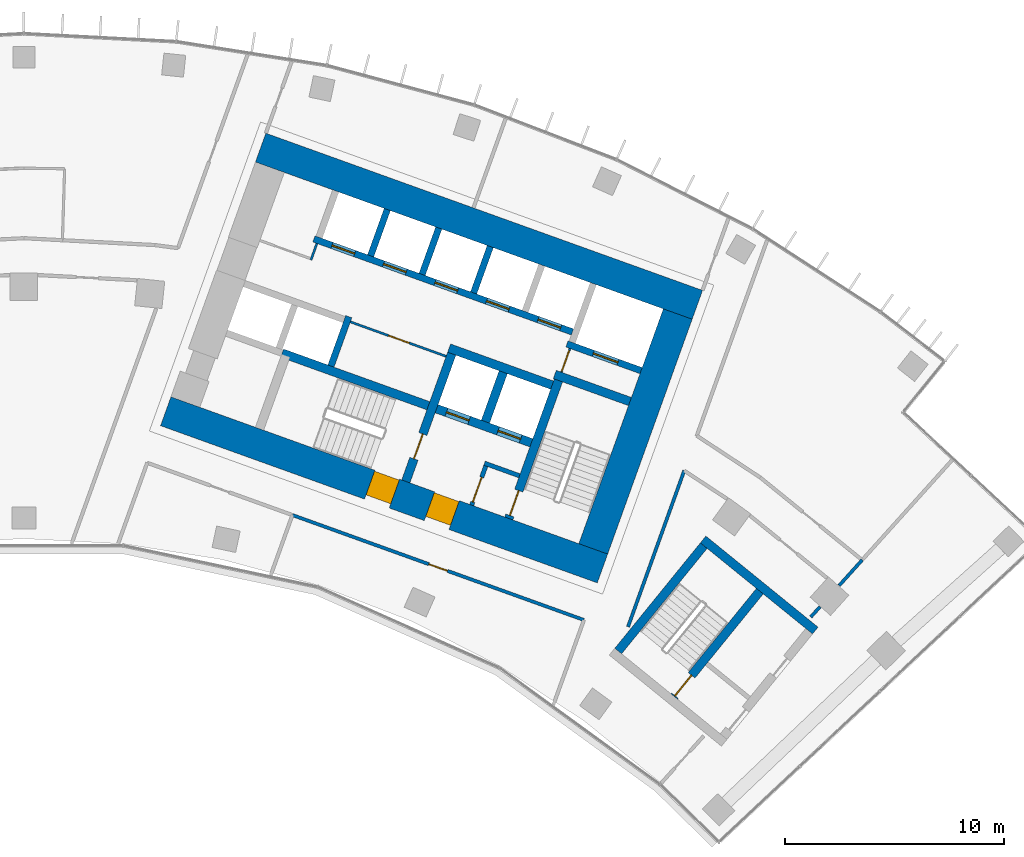
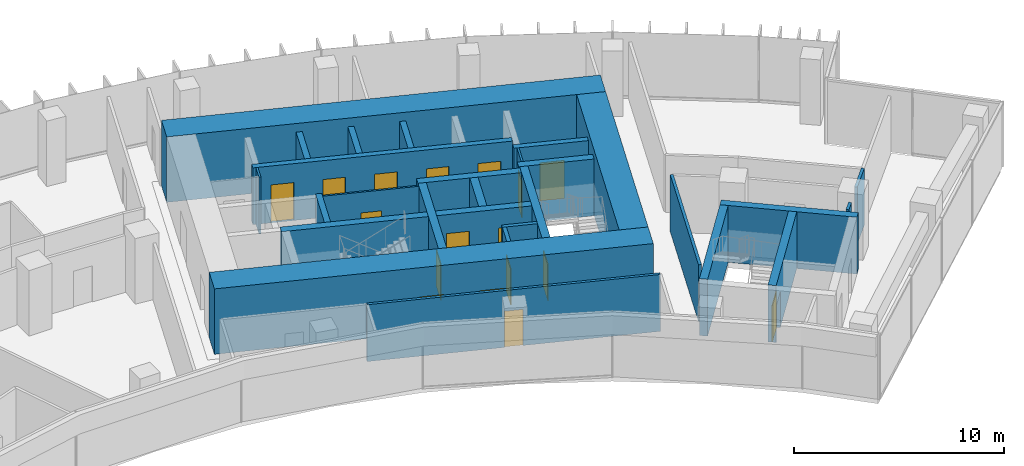
# One storey, part 17 of 21: 27 walls, 17 doors, 17 openings.
"""IFC4 building model written with IfcOpenShell, lengths in metres."""

from ifc_helpers import new_model, si_unit, direction, frame, frame_2d, origin, place, context, subcontext, project, spatial, rectangle, extrude, material, layer, layer_set, type_object, element, fill, save


model = new_model("IFC4")

# Units and contexts
model_context = context("Model", 3, precision=1e-05, world=origin(), true_north=direction((0.0, 1.0)))
body_context = subcontext(model_context, "Body", "Model", "MODEL_VIEW")
ifc_project = project(units=[si_unit("LENGTHUNIT", "METRE"), si_unit("AREAUNIT", "SQUARE_METRE"), si_unit("VOLUMEUNIT", "CUBIC_METRE"), si_unit("PLANEANGLEUNIT", "RADIAN"), si_unit("MASSUNIT", "GRAM", prefix="KILO")], contexts=[model_context])

# Site, building, storey
site_placement = place(None, origin())
site = spatial("IfcSite", under=ifc_project, at=site_placement, CompositionType="ELEMENT")
building_placement = place(site_placement, origin())
building = spatial("IfcBuilding", under=site, at=building_placement, Name="Stone Belt Terrace Tower", CompositionType="ELEMENT")
storey_placement = place(building_placement, frame((0.0, 0.0, 189.60009765625)))
storey = spatial("IfcBuildingStorey", under=building, at=storey_placement, Name="L46", CompositionType="ELEMENT", Elevation=189.60009765625)

# Wall, opening, door
ifc_material_1 = material(Name="Plasterboard partition")
ifc_layer_1 = layer(ifc_material_1, 0.10009765625)
ifc_layer_set_1 = layer_set([ifc_layer_1], Name="Core partition 100")
wall_type_1 = type_object("IfcWallType", Name="Core partition 100", PredefinedType="PARTITIONING", material=ifc_layer_set_1)
wall_1_placement = place(storey_placement, frame((24.555908203125, 51.10400390625, 0.0), z_axis=(0.0, 0.0, 1.0), x_axis=(0.338621735342, 0.94092258999, 0.0)))
wall_1 = element("IfcWall", 1, at=wall_1_placement, inside=storey, type_object=wall_type_1, Name="Core B wall", PredefinedType="PARTITIONING", context=body_context, shape_type="SweptSolid", body=[
    extrude(rectangle(XDim=1.14990234375, YDim=0.10009765625, at=frame_2d((0.574951171875, 0.0))), origin(), (0.0, 0.0, 1.0), 3.2998046875),
])
opening_1_placement = place(wall_1_placement, frame((0.050048828125, 0.0, 0.0)))
opening_1 = element("IfcOpeningElement", 2, at=opening_1_placement, cuts=wall_1, Name="Opening L46-C13", PredefinedType="OPENING", context=body_context, shape_type="SweptSolid", body=[
    extrude(rectangle(XDim=1.0, YDim=2.10009765625, at=frame_2d((0.5, 1.050048828125))), frame((0.0, 0.06005859375, 0.0), z_axis=(0.0, -1.0, 0.0), x_axis=(1.0, 0.0, 0.0)), (0.0, 0.0, 1.0), 0.1201171875),
])
ifc_material_2 = material(Name="Timber door leaf", Category="wood")
door_type_1 = type_object("IfcDoorType", Name="Core room door 1000", OperationType="SINGLE_SWING_LEFT", PredefinedType="DOOR", material=ifc_material_2)
door_1_placement = place(opening_1_placement, origin())
door_1 = element("IfcDoor", 3, at=door_1_placement, inside=storey, type_object=door_type_1, Name="Service lift lobby door core B", OperationType="SINGLE_SWING_RIGHT", OverallHeight=2.10009765625, OverallWidth=1.0, PredefinedType="DOOR", context=body_context, shape_type="SweptSolid", body=[
    extrude(rectangle(XDim=1.0, YDim=2.10009765625, at=frame_2d((0.5, 1.050048828125))), frame((0.0, 0.02490234375, 0.0), z_axis=(0.0, -1.0, 0.0), x_axis=(1.0, 0.0, 0.0)), (0.0, 0.0, 1.0), 0.050048828125),
])
fill(opening_1, door_1)

wall_2_placement = place(storey_placement, frame((19.29052734375, 51.829833984375, 0.0), z_axis=(0.0, 0.0, 1.0), x_axis=(-0.940930240745, 0.338600475563, 0.0)))
wall_2 = element("IfcWall", 4, at=wall_2_placement, inside=storey, type_object=wall_type_1, Name="Core B wall", PredefinedType="PARTITIONING", context=body_context, shape_type="SweptSolid", body=[
    extrude(rectangle(XDim=4.64990234375, YDim=0.10009765625, at=frame_2d((2.324951171875, 0.0))), origin(), (0.0, 0.0, 1.0), 3.2998046875),
])
opening_2_placement = place(wall_2_placement, frame((1.800048828125, 0.0, 0.0)))
opening_2 = element("IfcOpeningElement", 5, at=opening_2_placement, cuts=wall_2, Name="Opening L46-C12", PredefinedType="OPENING", context=body_context, shape_type="SweptSolid", body=[
    extrude(rectangle(XDim=1.0, YDim=2.10009765625, at=frame_2d((0.5, 1.050048828125))), frame((0.0, 0.06005859375, 0.0), z_axis=(0.0, -1.0, 0.0), x_axis=(1.0, 0.0, 0.0)), (0.0, 0.0, 1.0), 0.1201171875),
])
door_2_placement = place(opening_2_placement, origin())
door_2 = element("IfcDoor", 6, at=door_2_placement, inside=storey, type_object=door_type_1, Name="Door to Staff pantry core B", OperationType="SINGLE_SWING_RIGHT", OverallHeight=2.10009765625, OverallWidth=1.0, PredefinedType="DOOR", context=body_context, shape_type="SweptSolid", body=[
    extrude(rectangle(XDim=1.0, YDim=2.10009765625, at=frame_2d((0.5, 1.050048828125))), frame((0.0, 0.02490234375, 0.0), z_axis=(0.0, -1.0, 0.0), x_axis=(1.0, 0.0, 0.0)), (0.0, 0.0, 1.0), 0.050048828125),
])
fill(opening_2, door_2)

# Wall
wall_3_placement = place(storey_placement, frame((13.115966796875, 56.230712890625, 0.0), z_axis=(0.0, 0.0, 1.0), x_axis=(0.338481684961, 0.940972979923, 0.0)))
element("IfcWall", 7, at=wall_3_placement, inside=storey, type_object=wall_type_1, Name="Core B wall", PredefinedType="PARTITIONING", context=body_context, shape_type="SweptSolid", body=[
    extrude(rectangle(XDim=0.7998046875, YDim=0.10009765625, at=frame_2d((0.39990234375, 0.0))), origin(), (0.0, 0.0, 1.0), 3.2998046875),
])

# Wall, openings, doors
ifc_material_3 = material(Name="Concrete B80", Category="concrete")
ifc_layer_2 = layer(ifc_material_3, 1.39990234375)
ifc_layer_set_2 = layer_set([ifc_layer_2], Name="Core wall 1400 B80")
wall_type_2 = type_object("IfcWallType", Name="Core wall 1400 B80", PredefinedType="SHEAR", material=ifc_layer_set_2)
wall_4_placement = place(storey_placement, frame((6.4833984375, 49.318115234375, 0.0), z_axis=(0.0, 0.0, 1.0), x_axis=(0.940923374003, -0.33861955681, 0.0)))
wall_4 = element("IfcWall", 8, at=wall_4_placement, inside=storey, type_object=wall_type_2, Name="Core B wall concave L46", PredefinedType="SHEAR", context=body_context, shape_type="SweptSolid", body=[
    extrude(rectangle(XDim=21.199951171875, YDim=1.39990234375, at=frame_2d((10.60009765625, 0.0))), origin(), (0.0, 0.0, 1.0), 3.7998046875),
])
opening_3_placement = place(wall_4_placement, frame((12.800048828125, 0.0, 0.0)))
opening_3 = element("IfcOpeningElement", 9, at=opening_3_placement, cuts=wall_4, Name="Opening L46-C17", PredefinedType="OPENING", context=body_context, shape_type="SweptSolid", body=[
    extrude(rectangle(XDim=1.199951171875, YDim=2.10009765625, at=frame_2d((0.60009765625, 1.050048828125))), frame((0.0, 0.7099609375, 0.0), z_axis=(0.0, -1.0, 0.0), x_axis=(1.0, 0.0, 0.0)), (0.0, 0.0, 1.0), 1.419921875),
])
opening_4_placement = place(wall_4_placement, frame((9.89990234375, 0.0, 0.0)))
opening_4 = element("IfcOpeningElement", 10, at=opening_4_placement, cuts=wall_4, Name="Opening L46-C19", PredefinedType="OPENING", context=body_context, shape_type="SweptSolid", body=[
    extrude(rectangle(XDim=1.199951171875, YDim=2.10009765625, at=frame_2d((0.60009765625, 1.050048828125))), frame((0.0, 0.7099609375, 0.0), z_axis=(0.0, -1.0, 0.0), x_axis=(1.0, 0.0, 0.0)), (0.0, 0.0, 1.0), 1.419921875),
])
ifc_material_4 = material(Name="Steel door leaf", Category="steel")
door_type_2 = type_object("IfcDoorType", Name="Fire-fighting lobby door 1200", OperationType="SINGLE_SWING_LEFT", PredefinedType="DOOR", material=ifc_material_4)
door_3_placement = place(opening_3_placement, origin())
door_3 = element("IfcDoor", 11, at=door_3_placement, inside=storey, type_object=door_type_2, Name="Fire-fighting lobby door core B", OperationType="SINGLE_SWING_RIGHT", OverallHeight=2.10009765625, OverallWidth=1.199951171875, PredefinedType="DOOR", context=body_context, shape_type="SweptSolid", body=[
    extrude(rectangle(XDim=1.199951171875, YDim=2.10009765625, at=frame_2d((0.60009765625, 1.050048828125))), frame((0.0, 0.655029296875, 0.0), z_axis=(0.0, -1.0, 0.0), x_axis=(1.0, 0.0, 0.0)), (0.0, 0.0, 1.0), 1.14990234375),
])
fill(opening_3, door_3)
door_type_3 = type_object("IfcDoorType", Name="Stair door 1200", OperationType="SINGLE_SWING_LEFT", PredefinedType="DOOR", material=ifc_material_4)
door_4_placement = place(opening_4_placement, origin())
door_4 = element("IfcDoor", 12, at=door_4_placement, inside=storey, type_object=door_type_3, Name="Stair 2 exit door core B", OperationType="SINGLE_SWING_LEFT", OverallHeight=2.10009765625, OverallWidth=1.199951171875, PredefinedType="DOOR", context=body_context, shape_type="SweptSolid", body=[
    extrude(rectangle(XDim=1.199951171875, YDim=2.10009765625, at=frame_2d((0.60009765625, 1.050048828125))), frame((0.0, 0.655029296875, 0.0), z_axis=(0.0, -1.0, 0.0), x_axis=(1.0, 0.0, 0.0)), (0.0, 0.0, 1.0), 1.14990234375),
])
fill(opening_4, door_4)

# Walls
wall_5_placement = place(storey_placement, frame((10.81787109375, 61.362060546875, 0.0), z_axis=(0.0, 0.0, 1.0), x_axis=(0.940919704758, -0.338629752382, 0.0)))
element("IfcWall", 13, at=wall_5_placement, inside=storey, type_object=wall_type_2, Name="Core B wall convex L46", PredefinedType="SHEAR", context=body_context, shape_type="SweptSolid", body=[
    extrude(rectangle(XDim=21.199951171875, YDim=1.39990234375, at=frame_2d((10.60009765625, 0.0))), origin(), (0.0, 0.0, 1.0), 3.7998046875),
])
wall_6_placement = place(storey_placement, frame((26.00927734375, 43.03515625, 0.0), z_axis=(0.0, 0.0, 1.0), x_axis=(0.338625431531, 0.940921259788, 0.0)))
element("IfcWall", 14, at=wall_6_placement, inside=storey, type_object=wall_type_2, Name="Core B wall end_b L46", PredefinedType="SHEAR", context=body_context, shape_type="SweptSolid", body=[
    extrude(rectangle(XDim=11.400146484375, YDim=1.39990234375, at=frame_2d((5.7001953125, 0.0))), origin(), (0.0, 0.0, 1.0), 3.7998046875),
])
ifc_layer_3 = layer(ifc_material_3, 0.39990234375)
ifc_layer_set_3 = layer_set([ifc_layer_3], Name="Fire-fighting lift shaft wall 400")
wall_type_3 = type_object("IfcWallType", Name="Fire-fighting lift shaft wall 400", PredefinedType="SHEAR", material=ifc_layer_set_3)
wall_7_placement = place(storey_placement, frame((24.130615234375, 50.512939453125, 0.0), z_axis=(0.0, 0.0, 1.0), x_axis=(-0.94091168377, 0.338652038744, 0.0)))
element("IfcWall", 15, at=wall_7_placement, inside=storey, type_object=wall_type_3, Name="Core B wall", PredefinedType="SHEAR", context=body_context, shape_type="SweptSolid", body=[
    extrude(rectangle(XDim=5.000244140625, YDim=0.39990234375, at=frame_2d((2.5, 0.0))), origin(), (0.0, 0.0, 1.0), 3.2998046875),
])
wall_8_placement = place(storey_placement, frame((21.0859375, 48.845458984375, 0.0), z_axis=(0.0, 0.0, 1.0), x_axis=(0.338629416206, 0.940919825745, 0.0)))
element("IfcWall", 16, at=wall_8_placement, inside=storey, type_object=wall_type_3, Name="Core B wall", PredefinedType="SHEAR", context=body_context, shape_type="SweptSolid", body=[
    extrude(rectangle(XDim=2.400146484375, YDim=0.39990234375, at=frame_2d((1.2001953125, 0.0))), origin(), (0.0, 0.0, 1.0), 3.2998046875),
])

# Wall, opening, door
ifc_layer_4 = layer(ifc_material_3, 0.300048828125)
ifc_layer_set_4 = layer_set([ifc_layer_4], Name="Lift shaft wall 300")
wall_type_4 = type_object("IfcWallType", Name="Lift shaft wall 300", PredefinedType="SHEAR", material=ifc_layer_set_4)
wall_9_placement = place(storey_placement, frame((28.195068359375, 51.17578125, 0.0), z_axis=(0.0, 0.0, 1.0), x_axis=(-0.940901243567, 0.338681044427, 0.0)))
wall_9 = element("IfcWall", 17, at=wall_9_placement, inside=storey, type_object=wall_type_4, Name="Core B wall", PredefinedType="SHEAR", context=body_context, shape_type="SweptSolid", body=[
    extrude(rectangle(XDim=3.599853515625, YDim=0.300048828125, at=frame_2d((1.7998046875, 0.0))), origin(), (0.0, 0.0, 1.0), 3.2998046875),
])
opening_5_placement = place(wall_9_placement, frame((1.1201171875, 0.0, 0.0)))
opening_5 = element("IfcOpeningElement", 18, at=opening_5_placement, cuts=wall_9, Name="Opening L46-LD16", PredefinedType="OPENING", context=body_context, shape_type="SweptSolid", body=[
    extrude(rectangle(XDim=1.199951171875, YDim=2.199951171875, at=frame_2d((0.60009765625, 1.10009765625))), frame((0.0, 0.159912109375, 0.0), z_axis=(0.0, -1.0, 0.0), x_axis=(1.0, 0.0, 0.0)), (0.0, 0.0, 1.0), 0.320068359375),
])
ifc_material_5 = material(Name="Stainless steel door leaf", Category="steel")
door_type_4 = type_object("IfcDoorType", Name="Landing door 1200", OperationType="SLIDING_TO_LEFT", PredefinedType="DOOR", material=ifc_material_5)
door_5_placement = place(opening_5_placement, origin())
door_5 = element("IfcDoor", 19, at=door_5_placement, inside=storey, type_object=door_type_4, Name="Landing door SV1 core B", OperationType="SLIDING_TO_LEFT", OverallHeight=2.199951171875, OverallWidth=1.199951171875, PredefinedType="DOOR", context=body_context, shape_type="SweptSolid", body=[
    extrude(rectangle(XDim=1.199951171875, YDim=2.199951171875, at=frame_2d((0.60009765625, 1.10009765625))), frame((0.0, 0.02490234375, 0.0), z_axis=(0.0, -1.0, 0.0), x_axis=(1.0, 0.0, 0.0)), (0.0, 0.0, 1.0), 0.050048828125),
])
fill(opening_5, door_5)

# Wall, openings, doors
wall_10_placement = place(storey_placement, frame((25.05810546875, 52.9423828125, 0.0), z_axis=(0.0, 0.0, 1.0), x_axis=(-0.940921381676, 0.338625092847, 0.0)))
wall_10 = element("IfcWall", 20, at=wall_10_placement, inside=storey, type_object=wall_type_4, Name="Core B wall", PredefinedType="SHEAR", context=body_context, shape_type="SweptSolid", body=[
    extrude(rectangle(XDim=12.550048828125, YDim=0.300048828125, at=frame_2d((6.27490234375, 0.0))), origin(), (0.0, 0.0, 1.0), 3.2998046875),
])
opening_6_placement = place(wall_10_placement, frame((0.570068359375, 0.0, 0.0)))
opening_6 = element("IfcOpeningElement", 21, at=opening_6_placement, cuts=wall_10, Name="Opening L46-LD09", PredefinedType="OPENING", context=body_context, shape_type="SweptSolid", body=[
    extrude(rectangle(XDim=1.10009765625, YDim=2.199951171875, at=frame_2d((0.550048828125, 1.10009765625))), frame((0.0, 0.159912109375, 0.0), z_axis=(0.0, -1.0, 0.0), x_axis=(1.0, 0.0, 0.0)), (0.0, 0.0, 1.0), 0.320068359375),
])
opening_7_placement = place(wall_10_placement, frame((3.070068359375, 0.0, 0.0)))
opening_7 = element("IfcOpeningElement", 22, at=opening_7_placement, cuts=wall_10, Name="Opening L46-LD10", PredefinedType="OPENING", context=body_context, shape_type="SweptSolid", body=[
    extrude(rectangle(XDim=1.10009765625, YDim=2.199951171875, at=frame_2d((0.550048828125, 1.10009765625))), frame((0.0, 0.159912109375, 0.0), z_axis=(0.0, -1.0, 0.0), x_axis=(1.0, 0.0, 0.0)), (0.0, 0.0, 1.0), 0.320068359375),
])
opening_8_placement = place(wall_10_placement, frame((5.570068359375, 0.0, 0.0)))
opening_8 = element("IfcOpeningElement", 23, at=opening_8_placement, cuts=wall_10, Name="Opening L46-LD11", PredefinedType="OPENING", context=body_context, shape_type="SweptSolid", body=[
    extrude(rectangle(XDim=1.10009765625, YDim=2.199951171875, at=frame_2d((0.550048828125, 1.10009765625))), frame((0.0, 0.159912109375, 0.0), z_axis=(0.0, -1.0, 0.0), x_axis=(1.0, 0.0, 0.0)), (0.0, 0.0, 1.0), 0.320068359375),
])
opening_9_placement = place(wall_10_placement, frame((8.070068359375, 0.0, 0.0)))
opening_9 = element("IfcOpeningElement", 24, at=opening_9_placement, cuts=wall_10, Name="Opening L46-LD12", PredefinedType="OPENING", context=body_context, shape_type="SweptSolid", body=[
    extrude(rectangle(XDim=1.10009765625, YDim=2.199951171875, at=frame_2d((0.550048828125, 1.10009765625))), frame((0.0, 0.159912109375, 0.0), z_axis=(0.0, -1.0, 0.0), x_axis=(1.0, 0.0, 0.0)), (0.0, 0.0, 1.0), 0.320068359375),
])
opening_10_placement = place(wall_10_placement, frame((10.570068359375, 0.0, 0.0)))
opening_10 = element("IfcOpeningElement", 25, at=opening_10_placement, cuts=wall_10, Name="Opening L46-LD13", PredefinedType="OPENING", context=body_context, shape_type="SweptSolid", body=[
    extrude(rectangle(XDim=1.10009765625, YDim=2.199951171875, at=frame_2d((0.550048828125, 1.10009765625))), frame((0.0, 0.159912109375, 0.0), z_axis=(0.0, -1.0, 0.0), x_axis=(1.0, 0.0, 0.0)), (0.0, 0.0, 1.0), 0.320068359375),
])
door_type_5 = type_object("IfcDoorType", Name="Landing door 1100", OperationType="SLIDING_TO_LEFT", PredefinedType="DOOR", material=ifc_material_5)
door_6_placement = place(opening_6_placement, origin())
door_6 = element("IfcDoor", 26, at=door_6_placement, inside=storey, type_object=door_type_5, Name="Landing door MR1 core B", OperationType="SLIDING_TO_LEFT", OverallHeight=2.199951171875, OverallWidth=1.10009765625, PredefinedType="DOOR", context=body_context, shape_type="SweptSolid", body=[
    extrude(rectangle(XDim=1.10009765625, YDim=2.199951171875, at=frame_2d((0.550048828125, 1.10009765625))), frame((0.0, 0.02490234375, 0.0), z_axis=(0.0, -1.0, 0.0), x_axis=(1.0, 0.0, 0.0)), (0.0, 0.0, 1.0), 0.050048828125),
])
fill(opening_6, door_6)
door_7_placement = place(opening_7_placement, origin())
door_7 = element("IfcDoor", 27, at=door_7_placement, inside=storey, type_object=door_type_5, Name="Landing door MR2 core B", OperationType="SLIDING_TO_LEFT", OverallHeight=2.199951171875, OverallWidth=1.10009765625, PredefinedType="DOOR", context=body_context, shape_type="SweptSolid", body=[
    extrude(rectangle(XDim=1.10009765625, YDim=2.199951171875, at=frame_2d((0.550048828125, 1.10009765625))), frame((0.0, 0.02490234375, 0.0), z_axis=(0.0, -1.0, 0.0), x_axis=(1.0, 0.0, 0.0)), (0.0, 0.0, 1.0), 0.050048828125),
])
fill(opening_7, door_7)
door_8_placement = place(opening_8_placement, origin())
door_8 = element("IfcDoor", 28, at=door_8_placement, inside=storey, type_object=door_type_5, Name="Landing door MR3 core B", OperationType="SLIDING_TO_LEFT", OverallHeight=2.199951171875, OverallWidth=1.10009765625, PredefinedType="DOOR", context=body_context, shape_type="SweptSolid", body=[
    extrude(rectangle(XDim=1.10009765625, YDim=2.199951171875, at=frame_2d((0.550048828125, 1.10009765625))), frame((0.0, 0.02490234375, 0.0), z_axis=(0.0, -1.0, 0.0), x_axis=(1.0, 0.0, 0.0)), (0.0, 0.0, 1.0), 0.050048828125),
])
fill(opening_8, door_8)
door_9_placement = place(opening_9_placement, origin())
door_9 = element("IfcDoor", 29, at=door_9_placement, inside=storey, type_object=door_type_5, Name="Landing door MR4 core B", OperationType="SLIDING_TO_LEFT", OverallHeight=2.199951171875, OverallWidth=1.10009765625, PredefinedType="DOOR", context=body_context, shape_type="SweptSolid", body=[
    extrude(rectangle(XDim=1.10009765625, YDim=2.199951171875, at=frame_2d((0.550048828125, 1.10009765625))), frame((0.0, 0.02490234375, 0.0), z_axis=(0.0, -1.0, 0.0), x_axis=(1.0, 0.0, 0.0)), (0.0, 0.0, 1.0), 0.050048828125),
])
fill(opening_9, door_9)
door_10_placement = place(opening_10_placement, origin())
door_10 = element("IfcDoor", 30, at=door_10_placement, inside=storey, type_object=door_type_5, Name="Landing door MR5 core B", OperationType="SLIDING_TO_LEFT", OverallHeight=2.199951171875, OverallWidth=1.10009765625, PredefinedType="DOOR", context=body_context, shape_type="SweptSolid", body=[
    extrude(rectangle(XDim=1.10009765625, YDim=2.199951171875, at=frame_2d((0.550048828125, 1.10009765625))), frame((0.0, 0.02490234375, 0.0), z_axis=(0.0, -1.0, 0.0), x_axis=(1.0, 0.0, 0.0)), (0.0, 0.0, 1.0), 0.050048828125),
])
fill(opening_10, door_10)

# Walls
wall_11_placement = place(storey_placement, frame((20.54541015625, 54.72607421875, 0.0), z_axis=(0.0, 0.0, 1.0), x_axis=(0.338569601369, 0.940941350472, 0.0)))
element("IfcWall", 31, at=wall_11_placement, inside=storey, type_object=wall_type_4, Name="Core B wall", PredefinedType="SHEAR", context=body_context, shape_type="SweptSolid", body=[
    extrude(rectangle(XDim=2.249755859375, YDim=0.300048828125, at=frame_2d((1.125, 0.0))), origin(), (0.0, 0.0, 1.0), 3.2998046875),
])
wall_12_placement = place(storey_placement, frame((18.193115234375, 55.572509765625, 0.0), z_axis=(0.0, 0.0, 1.0), x_axis=(0.338535034312, 0.940953787677, 0.0)))
element("IfcWall", 32, at=wall_12_placement, inside=storey, type_object=wall_type_4, Name="Core B wall", PredefinedType="SHEAR", context=body_context, shape_type="SweptSolid", body=[
    extrude(rectangle(XDim=2.25, YDim=0.300048828125, at=frame_2d((1.125, 0.0))), origin(), (0.0, 0.0, 1.0), 3.2998046875),
])
wall_13_placement = place(storey_placement, frame((14.029052734375, 51.38525390625, 0.0), z_axis=(0.0, 0.0, 1.0), x_axis=(0.338661829791, 0.940908159728, 0.0)))
element("IfcWall", 33, at=wall_13_placement, inside=storey, type_object=wall_type_4, Name="Core B wall", PredefinedType="SHEAR", context=body_context, shape_type="SweptSolid", body=[
    extrude(rectangle(XDim=2.39990234375, YDim=0.300048828125, at=frame_2d((1.199951171875, 0.0))), origin(), (0.0, 0.0, 1.0), 3.2998046875),
])
wall_14_placement = place(storey_placement, frame((15.8408203125, 56.419189453125, 0.0), z_axis=(0.0, 0.0, 1.0), x_axis=(0.338569601369, 0.940941350472, 0.0)))
element("IfcWall", 34, at=wall_14_placement, inside=storey, type_object=wall_type_4, Name="Core B wall", PredefinedType="SHEAR", context=body_context, shape_type="SweptSolid", body=[
    extrude(rectangle(XDim=2.249755859375, YDim=0.300048828125, at=frame_2d((1.125, 0.0))), origin(), (0.0, 0.0, 1.0), 3.2998046875),
])
ifc_material_6 = material(Name="Gypsum board partition")
ifc_layer_5 = layer(ifc_material_6, 0.14990234375)
ifc_layer_set_5 = layer_set([ifc_layer_5], Name="PARTITION 150 EI 60")
wall_type_5 = type_object("IfcWallType", Name="PARTITION 150 EI 60", PredefinedType="PARTITIONING", material=ifc_layer_set_5)
wall_15_placement = place(storey_placement, frame((30.1669921875, 46.612060546875, 0.0), z_axis=(0.0, 0.0, 1.0), x_axis=(-0.338694393991, -0.940896438233, 0.0)))
element("IfcWall", 35, at=wall_15_placement, inside=storey, type_object=wall_type_5, Name="L46/wall/i023", PredefinedType="PARTITIONING", context=body_context, shape_type="SweptSolid", body=[
    extrude(rectangle(XDim=7.585205078125, YDim=0.14990234375, at=frame_2d((3.79248046875, 0.0))), origin(), (0.0, 0.0, 1.0), 3.2998046875),
])

# Wall, opening, door
wall_16_placement = place(storey_placement, frame((25.583984375, 39.787109375, 0.0), z_axis=(0.0, 0.0, 1.0), x_axis=(-0.940910050634, 0.338656576217, 0.0)))
wall_16 = element("IfcWall", 36, at=wall_16_placement, inside=storey, type_object=wall_type_5, Name="L46/wall/i026", PredefinedType="PARTITIONING", context=body_context, shape_type="SweptSolid", body=[
    extrude(rectangle(XDim=14.15869140625, YDim=0.14990234375, at=frame_2d((7.079345703125, 0.0))), origin(), (0.0, 0.0, 1.0), 3.2998046875),
])
opening_11_placement = place(wall_16_placement, frame((6.62939453125, 0.0, 0.0)))
opening_11 = element("IfcOpeningElement", 37, at=opening_11_placement, cuts=wall_16, Name="Opening D-C5-06", PredefinedType="OPENING", context=body_context, shape_type="SweptSolid", body=[
    extrude(rectangle(XDim=0.89990234375, YDim=2.10009765625, at=frame_2d((0.449951171875, 1.050048828125))), frame((0.0, 0.0849609375, 0.0), z_axis=(0.0, -1.0, 0.0), x_axis=(1.0, 0.0, 0.0)), (0.0, 0.0, 1.0), 0.169921875),
])
door_type_6 = type_object("IfcDoorType", Name="OFFICE DOOR 900 X 2100", OperationType="NOTDEFINED", PredefinedType="DOOR", material=ifc_material_2)
door_11_placement = place(opening_11_placement, origin())
door_11 = element("IfcDoor", 38, at=door_11_placement, inside=storey, type_object=door_type_6, Name="L46/door/i06", OperationType="SINGLE_SWING_RIGHT", OverallHeight=2.10009765625, OverallWidth=0.89990234375, PredefinedType="DOOR", context=body_context, shape_type="SweptSolid", body=[
    extrude(rectangle(XDim=0.89990234375, YDim=2.10009765625, at=frame_2d((0.449951171875, 1.050048828125))), frame((0.0, 0.02490234375, 0.0), z_axis=(0.0, -1.0, 0.0), x_axis=(1.0, 0.0, 0.0)), (0.0, 0.0, 1.0), 0.050048828125),
])
fill(opening_11, door_11)

# Walls
wall_17_placement = place(storey_placement, frame((37.240966796875, 41.359375, 0.0), z_axis=(0.0, 0.0, 1.0), x_axis=(0.669093166642, 0.743178534642, 0.0)))
element("IfcWall", 39, at=wall_17_placement, inside=storey, type_object=wall_type_5, Name="L46/wall/i051", PredefinedType="PARTITIONING", context=body_context, shape_type="SweptSolid", body=[
    extrude(rectangle(XDim=1.5751953125, YDim=0.14990234375, at=frame_2d((0.78759765625, 0.0))), origin(), (0.0, 0.0, 1.0), 3.2998046875),
])
wall_18_placement = place(storey_placement, frame((35.946044921875, 39.922119140625, 0.0), z_axis=(0.0, 0.0, 1.0), x_axis=(0.669396665823, 0.742905178192, 0.0)))
element("IfcWall", 40, at=wall_18_placement, inside=storey, type_object=wall_type_5, Name="L46/wall/i052", PredefinedType="PARTITIONING", context=body_context, shape_type="SweptSolid", body=[
    extrude(rectangle(XDim=0.62451171875, YDim=0.14990234375, at=frame_2d((0.312255859375, 0.0))), origin(), (0.0, 0.0, 1.0), 3.2998046875),
])
ifc_material_7 = material(Name="Concrete masonry block", Category="masonry")
ifc_layer_6 = layer(ifc_material_7, 0.199951171875)
ifc_layer_set_6 = layer_set([ifc_layer_6], Name="Rated lobby wall 200")
wall_type_6 = type_object("IfcWallType", Name="Rated lobby wall 200", PredefinedType="PARTITIONING", material=ifc_layer_set_6)
wall_19_placement = place(storey_placement, frame((22.640625, 46.373046875, 0.0), z_axis=(0.0, 0.0, 1.0), x_axis=(-0.940966110313, 0.338500781747, 0.0)))
element("IfcWall", 41, at=wall_19_placement, inside=storey, type_object=wall_type_6, Name="Core B wall", PredefinedType="PARTITIONING", context=body_context, shape_type="SweptSolid", body=[
    extrude(rectangle(XDim=1.699951171875, YDim=0.199951171875, at=frame_2d((0.85009765625, 0.0))), origin(), (0.0, 0.0, 1.0), 3.2998046875),
])

# Wall, opening, door
wall_20_placement = place(storey_placement, frame((20.4580078125, 45.032958984375, 0.0), z_axis=(0.0, 0.0, 1.0), x_axis=(0.338573865316, 0.940939816208, 0.0)))
wall_20 = element("IfcWall", 42, at=wall_20_placement, inside=storey, type_object=wall_type_6, Name="Core B wall", PredefinedType="PARTITIONING", context=body_context, shape_type="SweptSolid", body=[
    extrude(rectangle(XDim=1.900146484375, YDim=0.199951171875, at=frame_2d((0.9501953125, 0.0))), origin(), (0.0, 0.0, 1.0), 3.2998046875),
])
opening_12_placement = place(wall_20_placement, frame((0.14990234375, 0.0, 0.0)))
opening_12 = element("IfcOpeningElement", 43, at=opening_12_placement, cuts=wall_20, Name="Opening L46-C16", PredefinedType="OPENING", context=body_context, shape_type="SweptSolid", body=[
    extrude(rectangle(XDim=1.199951171875, YDim=2.10009765625, at=frame_2d((0.60009765625, 1.050048828125))), frame((0.0, 0.10986328125, 0.0), z_axis=(0.0, -1.0, 0.0), x_axis=(1.0, 0.0, 0.0)), (0.0, 0.0, 1.0), 0.219970703125),
])
door_12_placement = place(opening_12_placement, origin())
door_12 = element("IfcDoor", 44, at=door_12_placement, inside=storey, type_object=door_type_3, Name="Stair airlock door core B", OperationType="SINGLE_SWING_RIGHT", OverallHeight=2.10009765625, OverallWidth=1.199951171875, PredefinedType="DOOR", context=body_context, shape_type="SweptSolid", body=[
    extrude(rectangle(XDim=1.199951171875, YDim=2.10009765625, at=frame_2d((0.60009765625, 1.050048828125))), frame((0.0, 0.02490234375, 0.0), z_axis=(0.0, -1.0, 0.0), x_axis=(1.0, 0.0, 0.0)), (0.0, 0.0, 1.0), 0.050048828125),
])
fill(opening_12, door_12)

# Wall
ifc_layer_7 = layer(ifc_material_3, 0.39990234375)
ifc_layer_set_7 = layer_set([ifc_layer_7], Name="Stair enclosure wall 400")
wall_type_7 = type_object("IfcWallType", Name="Stair enclosure wall 400", PredefinedType="SHEAR", material=ifc_layer_set_7)
wall_21_placement = place(storey_placement, frame((27.687255859375, 49.764404296875, 0.0), z_axis=(0.0, 0.0, 1.0), x_axis=(-0.940918954884, 0.338631835981, 0.0)))
element("IfcWall", 45, at=wall_21_placement, inside=storey, type_object=wall_type_7, Name="Core B wall", PredefinedType="SHEAR", context=body_context, shape_type="SweptSolid", body=[
    extrude(rectangle(XDim=3.650146484375, YDim=0.39990234375, at=frame_2d((1.8251953125, 0.0))), origin(), (0.0, 0.0, 1.0), 3.2998046875),
])

# Wall, opening, door
wall_22_placement = place(storey_placement, frame((22.151611328125, 44.42333984375, 0.0), z_axis=(0.0, 0.0, 1.0), x_axis=(0.338625272931, 0.940921316866, 0.0)))
wall_22 = element("IfcWall", 46, at=wall_22_placement, inside=storey, type_object=wall_type_7, Name="Core B wall", PredefinedType="SHEAR", context=body_context, shape_type="SweptSolid", body=[
    extrude(rectangle(XDim=6.699951171875, YDim=0.39990234375, at=frame_2d((3.35009765625, 0.0))), origin(), (0.0, 0.0, 1.0), 3.2998046875),
])
opening_13_placement = place(wall_22_placement, frame((0.14990234375, 0.0, 0.0)))
opening_13 = element("IfcOpeningElement", 47, at=opening_13_placement, cuts=wall_22, Name="Opening L46-C15", PredefinedType="OPENING", context=body_context, shape_type="SweptSolid", body=[
    extrude(rectangle(XDim=1.199951171875, YDim=2.10009765625, at=frame_2d((0.60009765625, 1.050048828125))), frame((0.0, 0.2099609375, 0.0), z_axis=(0.0, -1.0, 0.0), x_axis=(1.0, 0.0, 0.0)), (0.0, 0.0, 1.0), 0.419921875),
])
door_13_placement = place(opening_13_placement, origin())
door_13 = element("IfcDoor", 48, at=door_13_placement, inside=storey, type_object=door_type_3, Name="Stair 1 door core B", OperationType="SINGLE_SWING_RIGHT", OverallHeight=2.10009765625, OverallWidth=1.199951171875, PredefinedType="DOOR", context=body_context, shape_type="SweptSolid", body=[
    extrude(rectangle(XDim=1.199951171875, YDim=2.10009765625, at=frame_2d((0.60009765625, 1.050048828125))), frame((0.0, 0.02490234375, 0.0), z_axis=(0.0, -1.0, 0.0), x_axis=(1.0, 0.0, 0.0)), (0.0, 0.0, 1.0), 0.050048828125),
])
fill(opening_13, door_13)

# Wall, openings, doors
wall_23_placement = place(storey_placement, frame((23.182373046875, 47.87841796875, 0.0), z_axis=(0.0, 0.0, 1.0), x_axis=(-0.940921101762, 0.338625870628, 0.0)))
wall_23 = element("IfcWall", 49, at=wall_23_placement, inside=storey, type_object=wall_type_7, Name="Core B wall", PredefinedType="SHEAR", context=body_context, shape_type="SweptSolid", body=[
    extrude(rectangle(XDim=12.10009765625, YDim=0.39990234375, at=frame_2d((6.050048828125, 0.0))), origin(), (0.0, 0.0, 1.0), 3.2998046875),
])
opening_14_placement = place(wall_23_placement, frame((0.52001953125, 0.0, 0.0)))
opening_14 = element("IfcOpeningElement", 50, at=opening_14_placement, cuts=wall_23, Name="Opening L46-LD14", PredefinedType="OPENING", context=body_context, shape_type="SweptSolid", body=[
    extrude(rectangle(XDim=1.10009765625, YDim=2.199951171875, at=frame_2d((0.550048828125, 1.10009765625))), frame((0.0, 0.2099609375, 0.0), z_axis=(0.0, -1.0, 0.0), x_axis=(1.0, 0.0, 0.0)), (0.0, 0.0, 1.0), 0.419921875),
])
opening_15_placement = place(wall_23_placement, frame((3.02001953125, 0.0, 0.0)))
opening_15 = element("IfcOpeningElement", 51, at=opening_15_placement, cuts=wall_23, Name="Opening L46-LD15", PredefinedType="OPENING", context=body_context, shape_type="SweptSolid", body=[
    extrude(rectangle(XDim=1.10009765625, YDim=2.199951171875, at=frame_2d((0.550048828125, 1.10009765625))), frame((0.0, 0.2099609375, 0.0), z_axis=(0.0, -1.0, 0.0), x_axis=(1.0, 0.0, 0.0)), (0.0, 0.0, 1.0), 0.419921875),
])
door_14_placement = place(opening_14_placement, origin())
door_14 = element("IfcDoor", 52, at=door_14_placement, inside=storey, type_object=door_type_5, Name="Landing door FF1 core B", OperationType="SLIDING_TO_LEFT", OverallHeight=2.199951171875, OverallWidth=1.10009765625, PredefinedType="DOOR", context=body_context, shape_type="SweptSolid", body=[
    extrude(rectangle(XDim=1.10009765625, YDim=2.199951171875, at=frame_2d((0.550048828125, 1.10009765625))), frame((0.0, 0.02490234375, 0.0), z_axis=(0.0, -1.0, 0.0), x_axis=(1.0, 0.0, 0.0)), (0.0, 0.0, 1.0), 0.050048828125),
])
fill(opening_14, door_14)
door_15_placement = place(opening_15_placement, origin())
door_15 = element("IfcDoor", 53, at=door_15_placement, inside=storey, type_object=door_type_5, Name="Landing door FF2 core B", OperationType="SLIDING_TO_LEFT", OverallHeight=2.199951171875, OverallWidth=1.10009765625, PredefinedType="DOOR", context=body_context, shape_type="SweptSolid", body=[
    extrude(rectangle(XDim=1.10009765625, YDim=2.199951171875, at=frame_2d((0.550048828125, 1.10009765625))), frame((0.0, 0.02490234375, 0.0), z_axis=(0.0, -1.0, 0.0), x_axis=(1.0, 0.0, 0.0)), (0.0, 0.0, 1.0), 0.050048828125),
])
fill(opening_15, door_15)

# Wall, opening, door
wall_24_placement = place(storey_placement, frame((17.447021484375, 46.116455078125, 0.0), z_axis=(0.0, 0.0, 1.0), x_axis=(0.33860791464, 0.940927563707, 0.0)))
wall_24 = element("IfcWall", 54, at=wall_24_placement, inside=storey, type_object=wall_type_7, Name="Core B wall", PredefinedType="SHEAR", context=body_context, shape_type="SweptSolid", body=[
    extrude(rectangle(XDim=6.199951171875, YDim=0.39990234375, at=frame_2d((3.10009765625, 0.0))), origin(), (0.0, 0.0, 1.0), 3.2998046875),
])
opening_16_placement = place(wall_24_placement, frame((1.10009765625, 0.0, 0.0)))
opening_16 = element("IfcOpeningElement", 55, at=opening_16_placement, cuts=wall_24, Name="Opening L46-C18", PredefinedType="OPENING", context=body_context, shape_type="SweptSolid", body=[
    extrude(rectangle(XDim=1.199951171875, YDim=2.10009765625, at=frame_2d((0.60009765625, 1.050048828125))), frame((0.0, 0.2099609375, 0.0), z_axis=(0.0, -1.0, 0.0), x_axis=(1.0, 0.0, 0.0)), (0.0, 0.0, 1.0), 0.419921875),
])
door_16_placement = place(opening_16_placement, origin())
door_16 = element("IfcDoor", 56, at=door_16_placement, inside=storey, type_object=door_type_3, Name="Stair 2 door core B", OperationType="SINGLE_SWING_RIGHT", OverallHeight=2.10009765625, OverallWidth=1.199951171875, PredefinedType="DOOR", context=body_context, shape_type="SweptSolid", body=[
    extrude(rectangle(XDim=1.199951171875, YDim=2.10009765625, at=frame_2d((0.60009765625, 1.050048828125))), frame((0.0, 0.02490234375, 0.0), z_axis=(0.0, -1.0, 0.0), x_axis=(1.0, 0.0, 0.0)), (0.0, 0.0, 1.0), 0.050048828125),
])
fill(opening_16, door_16)

# Walls
wall_25_placement = place(storey_placement, frame((31.02783203125, 43.46337890625, 0.0), z_axis=(0.0, 0.0, 1.0), x_axis=(0.776413760801, -0.630223509589, 0.0)))
element("IfcWall", 57, at=wall_25_placement, inside=storey, type_object=wall_type_7, Name="Exit stair ST3B wall", PredefinedType="SHEAR", context=body_context, shape_type="SweptSolid", body=[
    extrude(rectangle(XDim=6.599853515625, YDim=0.39990234375, at=frame_2d((3.2998046875, 0.0))), origin(), (0.0, 0.0, 1.0), 3.2998046875),
])
wall_26_placement = place(storey_placement, frame((27.149658203125, 38.3681640625, 0.0), z_axis=(0.0, 0.0, 1.0), x_axis=(0.630211551729, 0.776423466973, 0.0)))
element("IfcWall", 58, at=wall_26_placement, inside=storey, type_object=wall_type_7, Name="Exit stair ST3B wall", PredefinedType="SHEAR", context=body_context, shape_type="SweptSolid", body=[
    extrude(rectangle(XDim=6.199951171875, YDim=0.39990234375, at=frame_2d((3.10009765625, 0.0))), origin(), (0.0, 0.0, 1.0), 3.2998046875),
])

# Wall, opening, door
wall_27_placement = place(storey_placement, frame((29.7119140625, 36.288330078125, 0.0), z_axis=(0.0, 0.0, 1.0), x_axis=(0.630192283849, 0.776439106033, 0.0)))
wall_27 = element("IfcWall", 59, at=wall_27_placement, inside=storey, type_object=wall_type_7, Name="Exit stair ST3B wall", PredefinedType="SHEAR", context=body_context, shape_type="SweptSolid", body=[
    extrude(rectangle(XDim=6.199951171875, YDim=0.39990234375, at=frame_2d((3.10009765625, 0.0))), origin(), (0.0, 0.0, 1.0), 3.2998046875),
])
opening_17_placement = place(wall_27_placement, frame((0.050048828125, 0.0, 0.0)))
opening_17 = element("IfcOpeningElement", 60, at=opening_17_placement, cuts=wall_27, Name="Opening L46-C24", PredefinedType="OPENING", context=body_context, shape_type="SweptSolid", body=[
    extrude(rectangle(XDim=1.199951171875, YDim=2.10009765625, at=frame_2d((0.60009765625, 1.050048828125))), frame((0.0, 0.2099609375, 0.0), z_axis=(0.0, -1.0, 0.0), x_axis=(1.0, 0.0, 0.0)), (0.0, 0.0, 1.0), 0.419921875),
])
door_17_placement = place(opening_17_placement, origin())
door_17 = element("IfcDoor", 61, at=door_17_placement, inside=storey, type_object=door_type_3, Name="Stair door ST3B", OperationType="SINGLE_SWING_RIGHT", OverallHeight=2.10009765625, OverallWidth=1.199951171875, PredefinedType="DOOR", context=body_context, shape_type="SweptSolid", body=[
    extrude(rectangle(XDim=1.199951171875, YDim=2.10009765625, at=frame_2d((0.60009765625, 1.050048828125))), frame((0.0, 0.02490234375, 0.0), z_axis=(0.0, -1.0, 0.0), x_axis=(1.0, 0.0, 0.0)), (0.0, 0.0, 1.0), 0.050048828125),
])
fill(opening_17, door_17)

save(model, "model.ifc")
